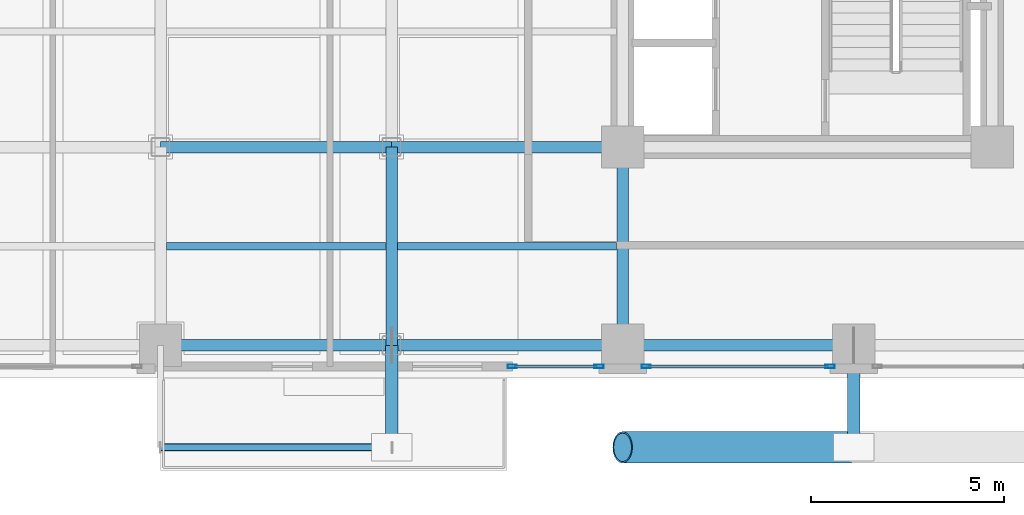
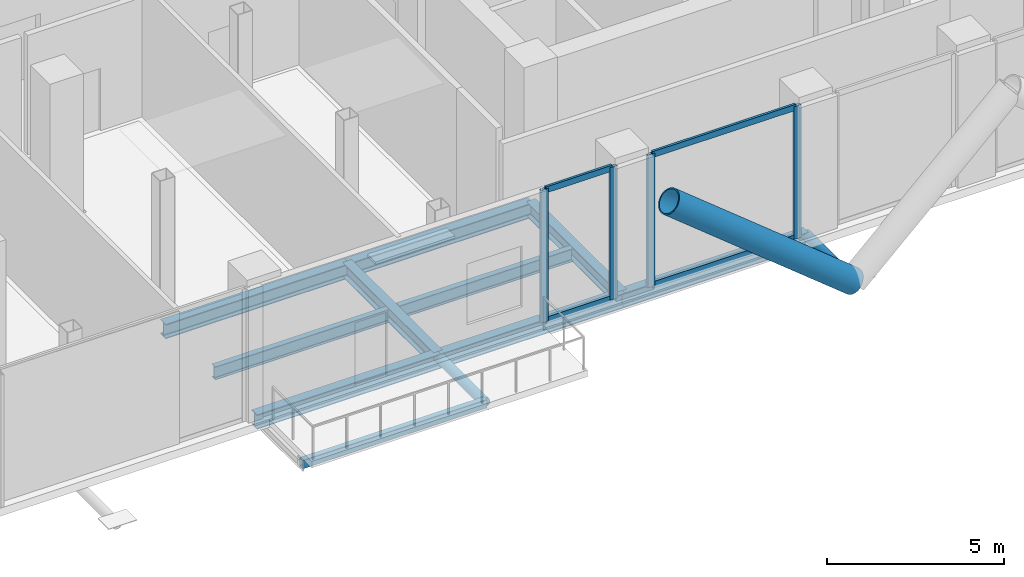
# One storey, part 3 of 25: 11 members, 10 beams, 2 elements without a shape of their own.
"""IFC4 building model written with IfcOpenShell, lengths in metres."""

from ifc_helpers import new_model, si_unit, direction, frame, origin, origin_2d, place, context, subcontext, project, spatial, hollow_rectangle, hollow_circle, i_section, extrude, material, layer, layer_set, material_profile, profile_set, type_object, element, aggregate, save


model = new_model("IFC4")

# Units and contexts
model_context = context("Model", 3, precision=1e-05, world=origin(), true_north=direction((0.0, 1.0)))
body_context = subcontext(model_context, "Body", "Model", "MODEL_VIEW")
ifc_project = project(units=[si_unit("LENGTHUNIT", "METRE"), si_unit("AREAUNIT", "SQUARE_METRE"), si_unit("VOLUMEUNIT", "CUBIC_METRE"), si_unit("PLANEANGLEUNIT", "RADIAN"), si_unit("MASSUNIT", "GRAM", prefix="KILO"), si_unit("THERMODYNAMICTEMPERATUREUNIT", "KELVIN"), si_unit("POWERUNIT", "WATT")], contexts=[model_context])

# Site, building, storey
site_placement = place(None, origin())
site = spatial("IfcSite", under=ifc_project, at=site_placement, CompositionType="ELEMENT")
building_placement = place(site_placement, origin())
building = spatial("IfcBuilding", under=site, at=building_placement, Name="Svarakhadi Broadcast Tower", CompositionType="ELEMENT")
storey_placement = place(building_placement, frame((0.0, 0.0, 110.85009765625)))
storey = spatial("IfcBuildingStorey", under=building, at=storey_placement, Name="L26", CompositionType="ELEMENT", Elevation=110.85009765625)

# Beams
ifc_material_1 = material(Name="Steel S355J2 (IS 2062 E350C)", Category="steel")
ifc_material_profile_1 = material_profile(ifc_material_1, i_section(OverallWidth=0.18994140625, OverallDepth=0.449951171875, WebThickness=0.009521484375, FlangeThickness=0.0146484375, FilletRadius=0.02099609375, at=origin_2d()), Name="NPB 450x190x78")
ifc_profile_set_1 = profile_set([ifc_material_profile_1], Name="Steel S355J2 (IS 2062 E350C)")
beam_type_1 = type_object("IfcBeamType", Name="Beam_NPB450", PredefinedType="BEAM", material=ifc_profile_set_1)
for number, where, z_axis, x_axis, name in (
    (1, (12.159912109375, 3.425048828125, -0.5), (1.0, 0.0, 0.0), (0.0, 1.0, 0.0), "L26 Secondary Composite Beam SB011"),
    (2, (18.159912109375, 3.425048828125, -0.5), (1.0, 0.0, 0.0), (0.0, 1.0, 0.0), "L26 Secondary Composite Beam SB016"),
):
    element("IfcBeam", number, at=place(storey_placement, frame(where, z_axis=z_axis, x_axis=x_axis)), inside=storey, type_object=beam_type_1, Name=name, PredefinedType="BEAM", context=body_context, shape_type="SweptSolid", body=[
        extrude(i_section(OverallWidth=0.18994140625, OverallDepth=0.449951171875, WebThickness=0.009521484375, FlangeThickness=0.0146484375, FilletRadius=0.02099609375, at=origin_2d()), origin(), (0.0, 0.0, 1.0), 5.68017578125),
    ])

# Curtain wall, members
ifc_material_2 = material(Name="Anodised Bronze Aluminium AA 6063-T6", Category="aluminium")
ifc_layer = layer(ifc_material_2, 0.239990234375)
ifc_layer_set = layer_set([ifc_layer], Name="Anodised Bronze Aluminium AA 6063-T6")
curtain_wall_type = type_object("IfcCurtainWallType", Name="CW_Sys_06", PredefinedType="NOTDEFINED", material=ifc_layer_set)
curtain_wall_1_placement = place(storey_placement, origin())
curtain_wall_1 = element("IfcCurtainWall", 3, at=curtain_wall_1_placement, inside=storey, type_object=curtain_wall_type, Name="L26 South Curtain Wall 16 Bay 3", PredefinedType="NOTDEFINED")
ifc_material_profile_2 = material_profile(ifc_material_2, hollow_rectangle(XDim=0.090087890625, YDim=0.239990234375, WallThickness=0.006103515625, at=origin_2d()), Name="ALU MULLION 240x90x6")
ifc_profile_set_2 = profile_set([ifc_material_profile_2], Name="Anodised Bronze Aluminium AA 6063-T6")
member_type_1 = type_object("IfcMemberType", Name="CW_Sys_06_Mul", PredefinedType="MULLION", material=ifc_profile_set_2)
member_1_placement = place(storey_placement, frame((29.385009765625, 0.300048828125, 0.0), z_axis=(0.0, 0.0, 1.0), x_axis=(0.0, -1.0, 0.0)))
member_1 = element("IfcMember", 4, at=member_1_placement, type_object=member_type_1, Name="CW-06 mullion 1", PredefinedType="MULLION", context=body_context, shape_type="SweptSolid", body=[
    extrude(hollow_rectangle(XDim=0.090087890625, YDim=0.239990234375, WallThickness=0.006103515625, at=origin_2d()), origin(), (0.0, 0.0, 1.0), 4.574951171875),
])
member_2_placement = place(storey_placement, frame((24.614990234375, 0.300048828125, 0.0), z_axis=(0.0, 0.0, 1.0), x_axis=(0.0, -1.0, 0.0)))
member_2 = element("IfcMember", 5, at=member_2_placement, type_object=member_type_1, Name="CW-06 mullion 2", PredefinedType="MULLION", context=body_context, shape_type="SweptSolid", body=[
    extrude(hollow_rectangle(XDim=0.090087890625, YDim=0.239990234375, WallThickness=0.006103515625, at=origin_2d()), origin(), (0.0, 0.0, 1.0), 4.574951171875),
])

curtain_wall_2_placement = place(storey_placement, origin())
curtain_wall_2 = element("IfcCurtainWall", 6, at=curtain_wall_2_placement, inside=storey, type_object=curtain_wall_type, Name="L26 South Curtain Wall 16 Bay 4", PredefinedType="NOTDEFINED")
member_3_placement = place(storey_placement, frame((23.385009765625, 0.300048828125, 0.0), z_axis=(0.0, 0.0, 1.0), x_axis=(0.0, -1.0, 0.0)))
member_3 = element("IfcMember", 7, at=member_3_placement, type_object=member_type_1, Name="CW-06 mullion 1", PredefinedType="MULLION", context=body_context, shape_type="SweptSolid", body=[
    extrude(hollow_rectangle(XDim=0.090087890625, YDim=0.239990234375, WallThickness=0.006103515625, at=origin_2d()), origin(), (0.0, 0.0, 1.0), 4.574951171875),
])
member_4_placement = place(storey_placement, frame((21.135009765625, 0.300048828125, 0.0), z_axis=(0.0, 0.0, 1.0), x_axis=(0.0, -1.0, 0.0)))
member_4 = element("IfcMember", 8, at=member_4_placement, type_object=member_type_1, Name="CW-06 mullion 2", PredefinedType="MULLION", context=body_context, shape_type="SweptSolid", body=[
    extrude(hollow_rectangle(XDim=0.090087890625, YDim=0.239990234375, WallThickness=0.006103515625, at=origin_2d()), origin(), (0.0, 0.0, 1.0), 4.574951171875),
])

# Member
ifc_material_profile_3 = material_profile(ifc_material_2, hollow_rectangle(XDim=0.080078125, YDim=0.2099609375, WallThickness=0.0048828125, at=origin_2d()), Name="ALU TRANSOM 210x80x5")
ifc_profile_set_3 = profile_set([ifc_material_profile_3], Name="Anodised Bronze Aluminium AA 6063-T6")
member_type_2 = type_object("IfcMemberType", Name="CW_Sys_06_Trn", PredefinedType="USERDEFINED", material=ifc_profile_set_3)
member_5_placement = place(storey_placement, frame((29.340087890625, 0.300048828125, 0.039794921875), z_axis=(-1.0, 0.0, 0.0), x_axis=(0.0, -1.0, 0.0)))
member_5 = element("IfcMember", 9, at=member_5_placement, type_object=member_type_2, Name="CW-06 transom 1.1", ObjectType="TRANSOM", PredefinedType="USERDEFINED", context=body_context, shape_type="SweptSolid", body=[
    extrude(hollow_rectangle(XDim=0.080078125, YDim=0.2099609375, WallThickness=0.0048828125, at=origin_2d()), origin(), (0.0, 0.0, 1.0), 4.68017578125),
])

member_6_placement = place(storey_placement, frame((29.340087890625, 0.300048828125, 4.534912109375), z_axis=(-1.0, 0.0, 0.0), x_axis=(0.0, -1.0, 0.0)))
member_6 = element("IfcMember", 10, at=member_6_placement, type_object=member_type_2, Name="CW-06 transom 1.2", ObjectType="TRANSOM", PredefinedType="USERDEFINED", context=body_context, shape_type="SweptSolid", body=[
    extrude(hollow_rectangle(XDim=0.080078125, YDim=0.2099609375, WallThickness=0.0048828125, at=origin_2d()), origin(), (0.0, 0.0, 1.0), 4.68017578125),
])

aggregate(curtain_wall_1, [member_1, member_2, member_5, member_6])

member_7_placement = place(storey_placement, frame((23.340087890625, 0.300048828125, 0.039794921875), z_axis=(-1.0, 0.0, 0.0), x_axis=(0.0, -1.0, 0.0)))
member_7 = element("IfcMember", 11, at=member_7_placement, type_object=member_type_2, Name="CW-06 transom 1.1", ObjectType="TRANSOM", PredefinedType="USERDEFINED", context=body_context, shape_type="SweptSolid", body=[
    extrude(hollow_rectangle(XDim=0.080078125, YDim=0.2099609375, WallThickness=0.0048828125, at=origin_2d()), origin(), (0.0, 0.0, 1.0), 2.16015625),
])

member_8_placement = place(storey_placement, frame((23.340087890625, 0.300048828125, 4.534912109375), z_axis=(-1.0, 0.0, 0.0), x_axis=(0.0, -1.0, 0.0)))
member_8 = element("IfcMember", 12, at=member_8_placement, type_object=member_type_2, Name="CW-06 transom 1.2", ObjectType="TRANSOM", PredefinedType="USERDEFINED", context=body_context, shape_type="SweptSolid", body=[
    extrude(hollow_rectangle(XDim=0.080078125, YDim=0.2099609375, WallThickness=0.0048828125, at=origin_2d()), origin(), (0.0, 0.0, 1.0), 2.16015625),
])

aggregate(curtain_wall_2, [member_3, member_4, member_7, member_8])

# Members
ifc_material_3 = material(Name="Steel S460ML (IS 2062 E450BR)", Category="steel")
ifc_material_profile_4 = material_profile(ifc_material_3, hollow_circle(Radius=0.406494140625, WallThickness=0.0400390625, at=origin_2d()), Name="CHS 813x40")
ifc_profile_set_4 = profile_set([ifc_material_profile_4], Name="Steel S460ML (IS 2062 E450BR)")
member_type_3 = type_object("IfcMemberType", Name="Exo_Brace_CHS813", PredefinedType="BRACE", material=ifc_profile_set_4)
member_9_placement = place(storey_placement, frame((30.0, -1.800048828125, -0.43701171875), z_axis=(-0.777706721002, 0.0, 0.628627279163), x_axis=(0.0, -1.0, 0.0)))
element("IfcMember", 13, at=member_9_placement, inside=storey, type_object=member_type_3, Name="L26 Exposed Bronze Exoskeleton Diagonal S01", PredefinedType="BRACE", context=body_context, shape_type="SweptSolid", body=[
    extrude(hollow_circle(Radius=0.406494140625, WallThickness=0.0400390625, at=origin_2d()), origin(), (0.0, 0.0, 1.0), 7.715087890625),
])
ifc_material_profile_5 = material_profile(ifc_material_3, hollow_circle(Radius=0.161865234375, WallThickness=0.01611328125, at=origin_2d()), Name="CHS 323.9x16")
ifc_profile_set_5 = profile_set([ifc_material_profile_5], Name="Steel S460ML (IS 2062 E450BR)")
member_type_4 = type_object("IfcMemberType", Name="Exo_Radial_Strut_Z2", PredefinedType="STRUT", material=ifc_profile_set_5)
for number, where, z_axis, x_axis, name in (
    (14, (18.0, -1.800048828125, -0.43701171875), (0.0, 1.0, 0.0), (-1.0, 0.0, 0.0), "L26 Exoskeleton Radial Tie Strut S02"),
    (15, (30.0, -1.800048828125, -0.43701171875), (0.0, 1.0, 0.0), (-1.0, 0.0, 0.0), "L26 Exoskeleton Radial Tie Strut S03"),
):
    element("IfcMember", number, at=place(storey_placement, frame(where, z_axis=z_axis, x_axis=x_axis)), inside=storey, type_object=member_type_4, Name=name, PredefinedType="STRUT", context=body_context, shape_type="SweptSolid", body=[
        extrude(hollow_circle(Radius=0.161865234375, WallThickness=0.01611328125, at=origin_2d()), origin(), (0.0, 0.0, 1.0), 2.650146484375),
    ])

# Beams
ifc_material_profile_6 = material_profile(ifc_material_1, i_section(OverallWidth=0.300048828125, OverallDepth=0.5, WebThickness=0.014404296875, FlangeThickness=0.028076171875, FilletRadius=0.027099609375, at=origin_2d()), Name="WPB 500x300x187")
ifc_profile_set_6 = profile_set([ifc_material_profile_6], Name="Steel S355J2 (IS 2062 E350C)")
beam_type_2 = type_object("IfcBeamType", Name="Girder_WPB500", PredefinedType="USERDEFINED", material=ifc_profile_set_6)
for number, where, z_axis, x_axis, name in (
    (16, (12.0, 0.85009765625, -0.525146484375), (1.0, 0.0, 0.0), (0.0, 1.0, 0.0), "L26 Primary E-W Girder G005"),
    (17, (18.0, 0.85009765625, -0.525146484375), (1.0, 0.0, 0.0), (0.0, 1.0, 0.0), "L26 Primary E-W Girder G006"),
    (18, (24.0, 0.85009765625, -0.525146484375), (1.0, 0.0, 0.0), (0.0, 1.0, 0.0), "L26 Primary E-W Girder G007"),
    (19, (12.0, 6.0, -0.525146484375), (1.0, 0.0, 0.0), (0.0, 1.0, 0.0), "L26 Primary E-W Girder G012"),
    (20, (18.0, 6.0, -0.525146484375), (1.0, 0.0, 0.0), (0.0, 1.0, 0.0), "L26 Primary E-W Girder G013"),
):
    element("IfcBeam", number, at=place(storey_placement, frame(where, z_axis=z_axis, x_axis=x_axis)), inside=storey, type_object=beam_type_2, Name=name, ObjectType="GIRDER", PredefinedType="USERDEFINED", context=body_context, shape_type="SweptSolid", body=[
        extrude(i_section(OverallWidth=0.300048828125, OverallDepth=0.5, WebThickness=0.014404296875, FlangeThickness=0.028076171875, FilletRadius=0.027099609375, at=origin_2d()), origin(), (0.0, 0.0, 1.0), 6.0),
    ])
for number, where, z_axis, x_axis, name in (
    (21, (18.0, 0.85009765625, -0.525146484375), (0.0, 1.0, 0.0), (-1.0, 0.0, 0.0), "L26 Primary N-S Girder G056"),
    (22, (24.0, 0.85009765625, -0.525146484375), (0.0, 1.0, 0.0), (-1.0, 0.0, 0.0), "L26 Primary N-S Girder G062"),
):
    element("IfcBeam", number, at=place(storey_placement, frame(where, z_axis=z_axis, x_axis=x_axis)), inside=storey, type_object=beam_type_2, Name=name, ObjectType="GIRDER", PredefinedType="USERDEFINED", context=body_context, shape_type="SweptSolid", body=[
        extrude(i_section(OverallWidth=0.300048828125, OverallDepth=0.5, WebThickness=0.014404296875, FlangeThickness=0.028076171875, FilletRadius=0.027099609375, at=origin_2d()), origin(), (0.0, 0.0, 1.0), 5.14990234375),
    ])
ifc_material_profile_7 = material_profile(ifc_material_3, hollow_rectangle(XDim=0.199951171875, YDim=0.300048828125, WallThickness=0.012451171875, InnerFilletRadius=0.012451171875, OuterFilletRadius=0.02490234375, at=origin_2d()), Name="RHS 300x200x12.5")
ifc_profile_set_7 = profile_set([ifc_material_profile_7], Name="Steel S460ML (IS 2062 E450BR)")
beam_type_3 = type_object("IfcBeamType", Name="Spandrel_RHS300", PredefinedType="SPANDREL", material=ifc_profile_set_7)
beam_placement = place(storey_placement, frame((12.0, -1.800048828125, -0.425048828125), z_axis=(1.0, 0.0, 0.0), x_axis=(0.0, 1.0, 0.0)))
element("IfcBeam", 23, at=beam_placement, inside=storey, type_object=beam_type_3, Name="L26 Balcony Outer Spandrel 1F", PredefinedType="SPANDREL", context=body_context, shape_type="SweptSolid", body=[
    extrude(hollow_rectangle(XDim=0.199951171875, YDim=0.300048828125, WallThickness=0.012451171875, InnerFilletRadius=0.012451171875, OuterFilletRadius=0.02490234375, at=origin_2d()), origin(), (0.0, 0.0, 1.0), 6.0),
])

save(model, "model.ifc")
